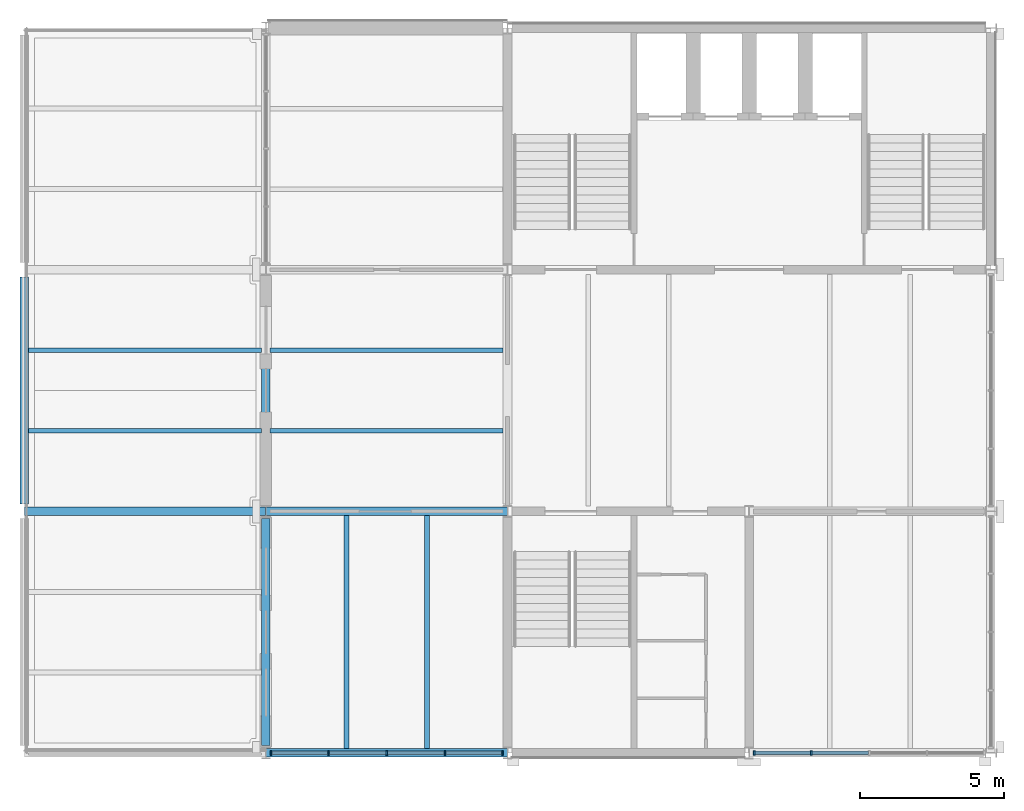
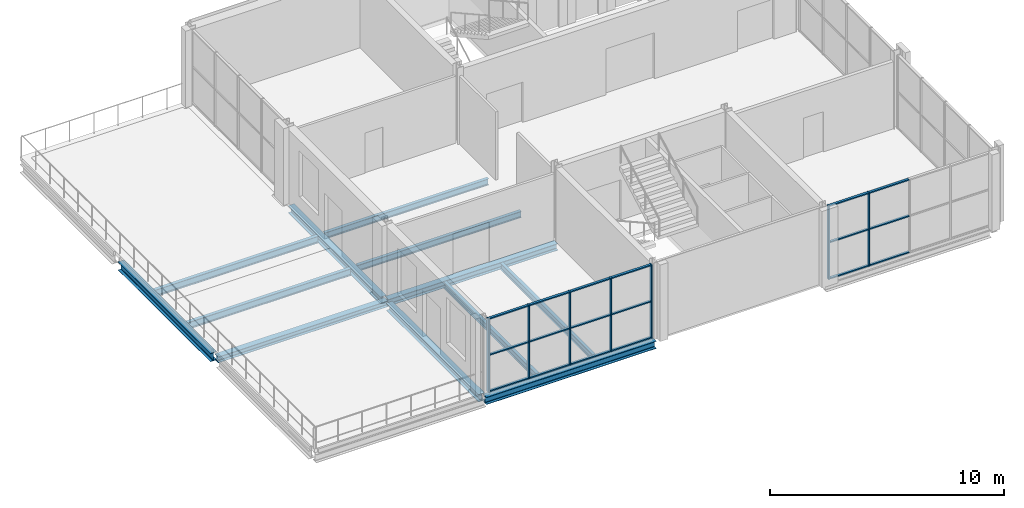
# One storey, part 2 of 9: 25 members, 12 beams, 2 elements without a shape of their own.
"""IFC4 building model written with IfcOpenShell, lengths in metres."""

from ifc_helpers import new_model, si_unit, direction, frame, origin, origin_2d, place, context, subcontext, project, spatial, rectangle, i_section, extrude, material, layer, layer_set, material_profile, profile_set, type_object, element, aggregate, save


model = new_model("IFC4")

# Units and contexts
model_context = context("Model", 3, precision=1e-05, world=origin(), true_north=direction((0.0, 1.0)))
body_context = subcontext(model_context, "Body", "Model", "MODEL_VIEW")
ifc_project = project(units=[si_unit("LENGTHUNIT", "METRE"), si_unit("AREAUNIT", "SQUARE_METRE"), si_unit("VOLUMEUNIT", "CUBIC_METRE"), si_unit("PLANEANGLEUNIT", "RADIAN"), si_unit("MASSUNIT", "GRAM", prefix="KILO")], contexts=[model_context])

# Site, building, storey
site_placement = place(None, origin())
site = spatial("IfcSite", under=ifc_project, at=site_placement, CompositionType="ELEMENT")
building_placement = place(site_placement, origin())
building = spatial("IfcBuilding", under=site, at=building_placement, Name="Galleria Vessillo Department Store", CompositionType="ELEMENT")
storey_placement = place(building_placement, frame((0.0, 0.0, 47.60009765625)))
storey = spatial("IfcBuildingStorey", under=building, at=storey_placement, Name="L10", CompositionType="ELEMENT", Elevation=47.60009765625)

# Curtain wall, members
ifc_material_1 = material(Name="Aluminium and glass curtain wall", Category="aluminium")
ifc_layer = layer(ifc_material_1, 0.159912109375)
ifc_layer_set = layer_set([ifc_layer], Name="Aluminium and glass curtain wall")
curtain_wall_type = type_object("IfcCurtainWallType", Name="Tower curtain wall CW4 2100 module", PredefinedType="NOTDEFINED", material=ifc_layer_set)
curtain_wall_1_placement = place(storey_placement, origin())
curtain_wall_1 = element("IfcCurtainWall", 1, at=curtain_wall_1_placement, inside=storey, type_object=curtain_wall_type, Name="Tower curtain wall CW4 2100 module TS-L10-01", PredefinedType="NOTDEFINED")
ifc_material_2 = material(Name="Aluminium alloy 6063 T6", Category="aluminium")
ifc_material_profile_1 = material_profile(ifc_material_2, rectangle(XDim=0.159912109375, YDim=0.06005859375, at=origin_2d()), Name="AL 60x160")
ifc_profile_set_1 = profile_set([ifc_material_profile_1], Name="Aluminium alloy 6063 T6")
member_type_1 = type_object("IfcMemberType", Name="Aluminium mullion 60 x 160", PredefinedType="MULLION", material=ifc_profile_set_1)
member_1_placement = place(storey_placement, frame((92.579833984375, 37.800048828125, 0.0), z_axis=(0.0, 0.0, 1.0), x_axis=(0.0, 1.0, 0.0)))
member_1 = element("IfcMember", 2, at=member_1_placement, type_object=member_type_1, Name="CW4 mullion 1", PredefinedType="MULLION", context=body_context, shape_type="SweptSolid", body=[
    extrude(rectangle(XDim=0.159912109375, YDim=0.06005859375, at=origin_2d()), origin(), (0.0, 0.0, 1.0), 3.85009765625),
])
member_2_placement = place(storey_placement, frame((94.574951171875, 37.800048828125, 0.0), z_axis=(0.0, 0.0, 1.0), x_axis=(0.0, 1.0, 0.0)))
member_2 = element("IfcMember", 3, at=member_2_placement, type_object=member_type_1, Name="CW4 mullion 2", PredefinedType="MULLION", context=body_context, shape_type="SweptSolid", body=[
    extrude(rectangle(XDim=0.159912109375, YDim=0.06005859375, at=origin_2d()), origin(), (0.0, 0.0, 1.0), 3.85009765625),
])
member_3_placement = place(storey_placement, frame((96.60009765625, 37.800048828125, 0.0), z_axis=(0.0, 0.0, 1.0), x_axis=(0.0, 1.0, 0.0)))
member_3 = element("IfcMember", 4, at=member_3_placement, type_object=member_type_1, Name="CW4 mullion 3", PredefinedType="MULLION", context=body_context, shape_type="SweptSolid", body=[
    extrude(rectangle(XDim=0.159912109375, YDim=0.06005859375, at=origin_2d()), origin(), (0.0, 0.0, 1.0), 3.85009765625),
])
member_4_placement = place(storey_placement, frame((98.625, 37.800048828125, 0.0), z_axis=(0.0, 0.0, 1.0), x_axis=(0.0, 1.0, 0.0)))
member_4 = element("IfcMember", 5, at=member_4_placement, type_object=member_type_1, Name="CW4 mullion 4", PredefinedType="MULLION", context=body_context, shape_type="SweptSolid", body=[
    extrude(rectangle(XDim=0.159912109375, YDim=0.06005859375, at=origin_2d()), origin(), (0.0, 0.0, 1.0), 3.85009765625),
])
member_5_placement = place(storey_placement, frame((100.6201171875, 37.800048828125, 0.0), z_axis=(0.0, 0.0, 1.0), x_axis=(0.0, 1.0, 0.0)))
member_5 = element("IfcMember", 6, at=member_5_placement, type_object=member_type_1, Name="CW4 mullion 5", PredefinedType="MULLION", context=body_context, shape_type="SweptSolid", body=[
    extrude(rectangle(XDim=0.159912109375, YDim=0.06005859375, at=origin_2d()), origin(), (0.0, 0.0, 1.0), 3.85009765625),
])

curtain_wall_2_placement = place(storey_placement, origin())
curtain_wall_2 = element("IfcCurtainWall", 7, at=curtain_wall_2_placement, inside=storey, type_object=curtain_wall_type, Name="Tower curtain wall CW4 2100 module TS-L10-02", PredefinedType="NOTDEFINED")
member_6_placement = place(storey_placement, frame((109.3798828125, 37.800048828125, 0.0), z_axis=(0.0, 0.0, 1.0), x_axis=(0.0, 1.0, 0.0)))
member_6 = element("IfcMember", 8, at=member_6_placement, type_object=member_type_1, Name="CW4 mullion 1", PredefinedType="MULLION", context=body_context, shape_type="SweptSolid", body=[
    extrude(rectangle(XDim=0.159912109375, YDim=0.06005859375, at=origin_2d()), origin(), (0.0, 0.0, 1.0), 3.85009765625),
])
member_7_placement = place(storey_placement, frame((111.362548828125, 37.800048828125, 0.0), z_axis=(0.0, 0.0, 1.0), x_axis=(0.0, 1.0, 0.0)))
member_7 = element("IfcMember", 9, at=member_7_placement, type_object=member_type_1, Name="CW4 mullion 2", PredefinedType="MULLION", context=body_context, shape_type="SweptSolid", body=[
    extrude(rectangle(XDim=0.159912109375, YDim=0.06005859375, at=origin_2d()), origin(), (0.0, 0.0, 1.0), 3.85009765625),
])

# Member
ifc_material_3 = material(Name="Aluminium alloy 6063 T6", Category="aluminium")
ifc_material_profile_2 = material_profile(ifc_material_3, rectangle(XDim=0.1201171875, YDim=0.06005859375, at=origin_2d()), Name="AL 60x120")
ifc_profile_set_2 = profile_set([ifc_material_profile_2], Name="Aluminium alloy 6063 T6")
member_type_2 = type_object("IfcMemberType", Name="Aluminium transom 60 x 120", PredefinedType="USERDEFINED", material=ifc_profile_set_2)
member_8_placement = place(storey_placement, frame((92.60986328125, 37.800048828125, 0.030029296875), z_axis=(1.0, 0.0, 0.0), x_axis=(0.0, 1.0, 0.0)))
member_8 = element("IfcMember", 10, at=member_8_placement, type_object=member_type_2, Name="CW4 transom 1.1", ObjectType="TRANSOM", PredefinedType="USERDEFINED", context=body_context, shape_type="SweptSolid", body=[
    extrude(rectangle(XDim=0.1201171875, YDim=0.06005859375, at=origin_2d()), origin(), (0.0, 0.0, 1.0), 1.93505859375),
])

member_9_placement = place(storey_placement, frame((92.60986328125, 37.800048828125, 1.925048828125), z_axis=(1.0, 0.0, 0.0), x_axis=(0.0, 1.0, 0.0)))
member_9 = element("IfcMember", 11, at=member_9_placement, type_object=member_type_2, Name="CW4 transom 1.2", ObjectType="TRANSOM", PredefinedType="USERDEFINED", context=body_context, shape_type="SweptSolid", body=[
    extrude(rectangle(XDim=0.1201171875, YDim=0.06005859375, at=origin_2d()), origin(), (0.0, 0.0, 1.0), 1.93505859375),
])

member_10_placement = place(storey_placement, frame((92.60986328125, 37.800048828125, 3.820068359375), z_axis=(1.0, 0.0, 0.0), x_axis=(0.0, 1.0, 0.0)))
member_10 = element("IfcMember", 12, at=member_10_placement, type_object=member_type_2, Name="CW4 transom 1.3", ObjectType="TRANSOM", PredefinedType="USERDEFINED", context=body_context, shape_type="SweptSolid", body=[
    extrude(rectangle(XDim=0.1201171875, YDim=0.06005859375, at=origin_2d()), origin(), (0.0, 0.0, 1.0), 1.93505859375),
])

member_11_placement = place(storey_placement, frame((94.60498046875, 37.800048828125, 0.030029296875), z_axis=(1.0, 0.0, 0.0), x_axis=(0.0, 1.0, 0.0)))
member_11 = element("IfcMember", 13, at=member_11_placement, type_object=member_type_2, Name="CW4 transom 2.1", ObjectType="TRANSOM", PredefinedType="USERDEFINED", context=body_context, shape_type="SweptSolid", body=[
    extrude(rectangle(XDim=0.1201171875, YDim=0.06005859375, at=origin_2d()), origin(), (0.0, 0.0, 1.0), 1.965087890625),
])

member_12_placement = place(storey_placement, frame((94.60498046875, 37.800048828125, 1.925048828125), z_axis=(1.0, 0.0, 0.0), x_axis=(0.0, 1.0, 0.0)))
member_12 = element("IfcMember", 14, at=member_12_placement, type_object=member_type_2, Name="CW4 transom 2.2", ObjectType="TRANSOM", PredefinedType="USERDEFINED", context=body_context, shape_type="SweptSolid", body=[
    extrude(rectangle(XDim=0.1201171875, YDim=0.06005859375, at=origin_2d()), origin(), (0.0, 0.0, 1.0), 1.965087890625),
])

member_13_placement = place(storey_placement, frame((94.60498046875, 37.800048828125, 3.820068359375), z_axis=(1.0, 0.0, 0.0), x_axis=(0.0, 1.0, 0.0)))
member_13 = element("IfcMember", 15, at=member_13_placement, type_object=member_type_2, Name="CW4 transom 2.3", ObjectType="TRANSOM", PredefinedType="USERDEFINED", context=body_context, shape_type="SweptSolid", body=[
    extrude(rectangle(XDim=0.1201171875, YDim=0.06005859375, at=origin_2d()), origin(), (0.0, 0.0, 1.0), 1.965087890625),
])

member_14_placement = place(storey_placement, frame((96.6298828125, 37.800048828125, 0.030029296875), z_axis=(1.0, 0.0, 0.0), x_axis=(0.0, 1.0, 0.0)))
member_14 = element("IfcMember", 16, at=member_14_placement, type_object=member_type_2, Name="CW4 transom 3.1", ObjectType="TRANSOM", PredefinedType="USERDEFINED", context=body_context, shape_type="SweptSolid", body=[
    extrude(rectangle(XDim=0.1201171875, YDim=0.06005859375, at=origin_2d()), origin(), (0.0, 0.0, 1.0), 1.965087890625),
])

member_15_placement = place(storey_placement, frame((96.6298828125, 37.800048828125, 1.925048828125), z_axis=(1.0, 0.0, 0.0), x_axis=(0.0, 1.0, 0.0)))
member_15 = element("IfcMember", 17, at=member_15_placement, type_object=member_type_2, Name="CW4 transom 3.2", ObjectType="TRANSOM", PredefinedType="USERDEFINED", context=body_context, shape_type="SweptSolid", body=[
    extrude(rectangle(XDim=0.1201171875, YDim=0.06005859375, at=origin_2d()), origin(), (0.0, 0.0, 1.0), 1.965087890625),
])

member_16_placement = place(storey_placement, frame((96.6298828125, 37.800048828125, 3.820068359375), z_axis=(1.0, 0.0, 0.0), x_axis=(0.0, 1.0, 0.0)))
member_16 = element("IfcMember", 18, at=member_16_placement, type_object=member_type_2, Name="CW4 transom 3.3", ObjectType="TRANSOM", PredefinedType="USERDEFINED", context=body_context, shape_type="SweptSolid", body=[
    extrude(rectangle(XDim=0.1201171875, YDim=0.06005859375, at=origin_2d()), origin(), (0.0, 0.0, 1.0), 1.965087890625),
])

member_17_placement = place(storey_placement, frame((98.655029296875, 37.800048828125, 0.030029296875), z_axis=(1.0, 0.0, 0.0), x_axis=(0.0, 1.0, 0.0)))
member_17 = element("IfcMember", 19, at=member_17_placement, type_object=member_type_2, Name="CW4 transom 4.1", ObjectType="TRANSOM", PredefinedType="USERDEFINED", context=body_context, shape_type="SweptSolid", body=[
    extrude(rectangle(XDim=0.1201171875, YDim=0.06005859375, at=origin_2d()), origin(), (0.0, 0.0, 1.0), 1.93505859375),
])

member_18_placement = place(storey_placement, frame((98.655029296875, 37.800048828125, 1.925048828125), z_axis=(1.0, 0.0, 0.0), x_axis=(0.0, 1.0, 0.0)))
member_18 = element("IfcMember", 20, at=member_18_placement, type_object=member_type_2, Name="CW4 transom 4.2", ObjectType="TRANSOM", PredefinedType="USERDEFINED", context=body_context, shape_type="SweptSolid", body=[
    extrude(rectangle(XDim=0.1201171875, YDim=0.06005859375, at=origin_2d()), origin(), (0.0, 0.0, 1.0), 1.93505859375),
])

member_19_placement = place(storey_placement, frame((98.655029296875, 37.800048828125, 3.820068359375), z_axis=(1.0, 0.0, 0.0), x_axis=(0.0, 1.0, 0.0)))
member_19 = element("IfcMember", 21, at=member_19_placement, type_object=member_type_2, Name="CW4 transom 4.3", ObjectType="TRANSOM", PredefinedType="USERDEFINED", context=body_context, shape_type="SweptSolid", body=[
    extrude(rectangle(XDim=0.1201171875, YDim=0.06005859375, at=origin_2d()), origin(), (0.0, 0.0, 1.0), 1.93505859375),
])

aggregate(curtain_wall_1, [member_1, member_2, member_3, member_4, member_5, member_8, member_9, member_10, member_11, member_12, member_13, member_14, member_15, member_16, member_17, member_18, member_19])

member_20_placement = place(storey_placement, frame((109.409912109375, 37.800048828125, 0.030029296875), z_axis=(1.0, 0.0, 0.0), x_axis=(0.0, 1.0, 0.0)))
member_20 = element("IfcMember", 22, at=member_20_placement, type_object=member_type_2, Name="CW4 transom 1.1", ObjectType="TRANSOM", PredefinedType="USERDEFINED", context=body_context, shape_type="SweptSolid", body=[
    extrude(rectangle(XDim=0.1201171875, YDim=0.06005859375, at=origin_2d()), origin(), (0.0, 0.0, 1.0), 1.922607421875),
])

member_21_placement = place(storey_placement, frame((109.409912109375, 37.800048828125, 1.925048828125), z_axis=(1.0, 0.0, 0.0), x_axis=(0.0, 1.0, 0.0)))
member_21 = element("IfcMember", 23, at=member_21_placement, type_object=member_type_2, Name="CW4 transom 1.2", ObjectType="TRANSOM", PredefinedType="USERDEFINED", context=body_context, shape_type="SweptSolid", body=[
    extrude(rectangle(XDim=0.1201171875, YDim=0.06005859375, at=origin_2d()), origin(), (0.0, 0.0, 1.0), 1.922607421875),
])

member_22_placement = place(storey_placement, frame((109.409912109375, 37.800048828125, 3.820068359375), z_axis=(1.0, 0.0, 0.0), x_axis=(0.0, 1.0, 0.0)))
member_22 = element("IfcMember", 24, at=member_22_placement, type_object=member_type_2, Name="CW4 transom 1.3", ObjectType="TRANSOM", PredefinedType="USERDEFINED", context=body_context, shape_type="SweptSolid", body=[
    extrude(rectangle(XDim=0.1201171875, YDim=0.06005859375, at=origin_2d()), origin(), (0.0, 0.0, 1.0), 1.922607421875),
])

member_23_placement = place(storey_placement, frame((111.392333984375, 37.800048828125, 0.030029296875), z_axis=(1.0, 0.0, 0.0), x_axis=(0.0, 1.0, 0.0)))
member_23 = element("IfcMember", 25, at=member_23_placement, type_object=member_type_2, Name="CW4 transom 2.1", ObjectType="TRANSOM", PredefinedType="USERDEFINED", context=body_context, shape_type="SweptSolid", body=[
    extrude(rectangle(XDim=0.1201171875, YDim=0.06005859375, at=origin_2d()), origin(), (0.0, 0.0, 1.0), 1.95263671875),
])

member_24_placement = place(storey_placement, frame((111.392333984375, 37.800048828125, 1.925048828125), z_axis=(1.0, 0.0, 0.0), x_axis=(0.0, 1.0, 0.0)))
member_24 = element("IfcMember", 26, at=member_24_placement, type_object=member_type_2, Name="CW4 transom 2.2", ObjectType="TRANSOM", PredefinedType="USERDEFINED", context=body_context, shape_type="SweptSolid", body=[
    extrude(rectangle(XDim=0.1201171875, YDim=0.06005859375, at=origin_2d()), origin(), (0.0, 0.0, 1.0), 1.95263671875),
])

member_25_placement = place(storey_placement, frame((111.392333984375, 37.800048828125, 3.820068359375), z_axis=(1.0, 0.0, 0.0), x_axis=(0.0, 1.0, 0.0)))
member_25 = element("IfcMember", 27, at=member_25_placement, type_object=member_type_2, Name="CW4 transom 2.3", ObjectType="TRANSOM", PredefinedType="USERDEFINED", context=body_context, shape_type="SweptSolid", body=[
    extrude(rectangle(XDim=0.1201171875, YDim=0.06005859375, at=origin_2d()), origin(), (0.0, 0.0, 1.0), 1.95263671875),
])

aggregate(curtain_wall_2, [member_6, member_7, member_20, member_21, member_22, member_23, member_24, member_25])

# Beams
ifc_material_4 = material(Name="Steel S355 J2", Category="steel")
ifc_material_profile_3 = material_profile(ifc_material_4, i_section(OverallWidth=0.300048828125, OverallDepth=0.35009765625, WebThickness=0.010009765625, FlangeThickness=0.017578125, FilletRadius=0.027099609375, at=origin_2d()), Name="HEA 360")
ifc_profile_set_3 = profile_set([ifc_material_profile_3], Name="Steel S355 J2")
beam_type_1 = type_object("IfcBeamType", Name="Floor girder HEA 360", PredefinedType="BEAM", material=ifc_profile_set_3)
beam_1_placement = place(storey_placement, frame((92.407470703125, 46.199951171875, -0.324951171875), z_axis=(1.0, 0.0, 0.0), x_axis=(0.0, 1.0, 0.0)))
element("IfcBeam", 28, at=beam_1_placement, inside=storey, type_object=beam_type_1, Name="S-BM-L10-GI-x46200-92407", PredefinedType="BEAM", context=body_context, shape_type="SweptSolid", body=[
    extrude(i_section(OverallWidth=0.300048828125, OverallDepth=0.35009765625, WebThickness=0.010009765625, FlangeThickness=0.017578125, FilletRadius=0.027099609375, at=origin_2d()), origin(), (0.0, 0.0, 1.0), 8.38525390625),
])
ifc_material_5 = material(Name="Steel S355 J2", Category="steel")
ifc_material_profile_4 = material_profile(ifc_material_5, i_section(OverallWidth=0.300048828125, OverallDepth=0.389892578125, WebThickness=0.010986328125, FlangeThickness=0.01904296875, FilletRadius=0.027099609375, at=origin_2d()), Name="HEA 400")
ifc_profile_set_4 = profile_set([ifc_material_profile_4], Name="Steel S355 J2")
beam_type_2 = type_object("IfcBeamType", Name="Floor girder HEA 400", PredefinedType="BEAM", material=ifc_profile_set_4)
beam_2_placement = place(storey_placement, frame((92.39990234375, 38.050048828125, -0.39501953125), z_axis=(0.0, 1.0, 0.0), x_axis=(-1.0, 0.0, 0.0)))
element("IfcBeam", 29, at=beam_2_placement, inside=storey, type_object=beam_type_2, Name="S-BM-L10-GI-y92400-38050", PredefinedType="BEAM", context=body_context, shape_type="SweptSolid", body=[
    extrude(i_section(OverallWidth=0.300048828125, OverallDepth=0.389892578125, WebThickness=0.010986328125, FlangeThickness=0.01904296875, FilletRadius=0.027099609375, at=origin_2d()), origin(), (0.0, 0.0, 1.0), 7.89990234375),
])
beam_3_placement = place(storey_placement, frame((92.39990234375, 46.4501953125, -0.39501953125), z_axis=(0.0, 1.0, 0.0), x_axis=(-1.0, 0.0, 0.0)))
element("IfcBeam", 30, at=beam_3_placement, inside=storey, type_object=beam_type_2, Name="S-BM-L10-GI-y92400-46450", PredefinedType="BEAM", context=body_context, shape_type="SweptSolid", body=[
    extrude(i_section(OverallWidth=0.300048828125, OverallDepth=0.389892578125, WebThickness=0.010986328125, FlangeThickness=0.01904296875, FilletRadius=0.027099609375, at=origin_2d()), origin(), (0.0, 0.0, 1.0), 7.899658203125),
])
ifc_material_6 = material(Name="Steel S355 J2", Category="steel")
ifc_material_profile_5 = material_profile(ifc_material_6, i_section(OverallWidth=0.159912109375, OverallDepth=0.330078125, WebThickness=0.007568359375, FlangeThickness=0.011474609375, FilletRadius=0.01806640625, at=origin_2d()), Name="IPE 330")
ifc_profile_set_5 = profile_set([ifc_material_profile_5], Name="Steel S355 J2")
beam_type_3 = type_object("IfcBeamType", Name="Floor joist IPE 330", PredefinedType="JOIST", material=ifc_profile_set_5)
for number, where, z_axis, x_axis, name in (
    (31, (95.199951171875, 37.9501953125, -0.31494140625), (0.0, 1.0, 0.0), (-1.0, 0.0, 0.0), "S-BM-L10-JO-y95200-37950"),
    (32, (98.0, 37.9501953125, -0.31494140625), (0.0, 1.0, 0.0), (-1.0, 0.0, 0.0), "S-BM-L10-JO-y98000-37950"),
):
    element("IfcBeam", number, at=place(storey_placement, frame(where, z_axis=z_axis, x_axis=x_axis)), inside=storey, type_object=beam_type_3, Name=name, PredefinedType="JOIST", context=body_context, shape_type="SweptSolid", body=[
        extrude(i_section(OverallWidth=0.159912109375, OverallDepth=0.330078125, WebThickness=0.007568359375, FlangeThickness=0.011474609375, FilletRadius=0.01806640625, at=origin_2d()), origin(), (0.0, 0.0, 1.0), 8.099609375),
    ])
for number, where, z_axis, x_axis, name in (
    (33, (92.550048828125, 49.0, -0.31494140625), (1.0, 0.0, 0.0), (0.0, 1.0, 0.0), "S-BM-L10-JO-x49000-92550"),
    (34, (92.550048828125, 51.800048828125, -0.31494140625), (1.0, 0.0, 0.0), (0.0, 1.0, 0.0), "S-BM-L10-JO-x51800-92550"),
):
    element("IfcBeam", number, at=place(storey_placement, frame(where, z_axis=z_axis, x_axis=x_axis)), inside=storey, type_object=beam_type_3, Name=name, PredefinedType="JOIST", context=body_context, shape_type="SweptSolid", body=[
        extrude(i_section(OverallWidth=0.159912109375, OverallDepth=0.330078125, WebThickness=0.007568359375, FlangeThickness=0.011474609375, FilletRadius=0.01806640625, at=origin_2d()), origin(), (0.0, 0.0, 1.0), 8.099853515625),
    ])
ifc_material_7 = material(Name="Steel S355 J2", Category="steel")
ifc_material_profile_6 = material_profile(ifc_material_7, i_section(OverallWidth=0.169921875, OverallDepth=0.360107421875, WebThickness=0.008056640625, FlangeThickness=0.0126953125, FilletRadius=0.01806640625, at=origin_2d()), Name="IPE 360")
ifc_profile_set_6 = profile_set([ifc_material_profile_6], Name="Steel S355 J2")
beam_type_4 = type_object("IfcBeamType", Name="Floor joist IPE 360", PredefinedType="JOIST", material=ifc_profile_set_6)
for number, where, z_axis, x_axis, name in (
    (35, (84.150146484375, 49.0, -0.3798828125), (1.0, 0.0, 0.0), (0.0, 1.0, 0.0), "S-BM-L10-JO-x49000-84150"),
    (36, (84.150146484375, 51.800048828125, -0.3798828125), (1.0, 0.0, 0.0), (0.0, 1.0, 0.0), "S-BM-L10-JO-x51800-84150"),
):
    element("IfcBeam", number, at=place(storey_placement, frame(where, z_axis=z_axis, x_axis=x_axis)), inside=storey, type_object=beam_type_4, Name=name, PredefinedType="JOIST", context=body_context, shape_type="SweptSolid", body=[
        extrude(i_section(OverallWidth=0.169921875, OverallDepth=0.360107421875, WebThickness=0.008056640625, FlangeThickness=0.0126953125, FilletRadius=0.01806640625, at=origin_2d()), origin(), (0.0, 0.0, 1.0), 8.099609375),
    ])
ifc_material_8 = material(Name="Steel S355 J2", Category="steel")
ifc_material_profile_7 = material_profile(ifc_material_8, i_section(OverallWidth=0.300048828125, OverallDepth=0.31005859375, WebThickness=0.009033203125, FlangeThickness=0.015380859375, FilletRadius=0.027099609375, at=origin_2d()), Name="HEA 320")
ifc_profile_set_7 = profile_set([ifc_material_profile_7], Name="Steel S355 J2")
beam_type_5 = type_object("IfcBeamType", Name="Floor tie girder HEA 320", PredefinedType="BEAM", material=ifc_profile_set_7)
beam_4_placement = place(storey_placement, frame((84.00732421875, 46.199951171875, -0.35498046875), z_axis=(1.0, 0.0, 0.0), x_axis=(0.0, 1.0, 0.0)))
element("IfcBeam", 37, at=beam_4_placement, inside=storey, type_object=beam_type_5, Name="S-BM-L10-TI-x46200-84007", PredefinedType="BEAM", context=body_context, shape_type="SweptSolid", body=[
    extrude(i_section(OverallWidth=0.300048828125, OverallDepth=0.31005859375, WebThickness=0.009033203125, FlangeThickness=0.015380859375, FilletRadius=0.027099609375, at=origin_2d()), origin(), (0.0, 0.0, 1.0), 8.38525390625),
])
ifc_material_9 = material(Name="Steel S355 J2", Category="steel")
ifc_material_profile_8 = material_profile(ifc_material_9, i_section(OverallWidth=0.300048828125, OverallDepth=0.389892578125, WebThickness=0.010986328125, FlangeThickness=0.01904296875, FilletRadius=0.027099609375, at=origin_2d()), Name="HEA 400")
ifc_profile_set_8 = profile_set([ifc_material_profile_8], Name="Steel S355 J2")
beam_type_6 = type_object("IfcBeamType", Name="Trimmer beam HEA 400", PredefinedType="BEAM", material=ifc_profile_set_8)
beam_5_placement = place(storey_placement, frame((92.407470703125, 37.800048828125, -0.344970703125), z_axis=(1.0, 0.0, 0.0), x_axis=(0.0, 1.0, 0.0)))
element("IfcBeam", 38, at=beam_5_placement, inside=storey, type_object=beam_type_6, Name="S-BM-L10-TR-x37800-92407", PredefinedType="BEAM", context=body_context, shape_type="SweptSolid", body=[
    extrude(i_section(OverallWidth=0.300048828125, OverallDepth=0.389892578125, WebThickness=0.010986328125, FlangeThickness=0.01904296875, FilletRadius=0.027099609375, at=origin_2d()), origin(), (0.0, 0.0, 1.0), 8.38525390625),
])
ifc_material_10 = material(Name="Steel S355 J2", Category="steel")
ifc_material_profile_9 = material_profile(ifc_material_10, i_section(OverallWidth=0.300048828125, OverallDepth=0.43994140625, WebThickness=0.011474609375, FlangeThickness=0.02099609375, FilletRadius=0.027099609375, at=origin_2d()), Name="HEA 450")
ifc_profile_set_9 = profile_set([ifc_material_profile_9], Name="Steel S355 J2")
beam_type_7 = type_object("IfcBeamType", Name="Trimmer beam HEA 450", PredefinedType="BEAM", material=ifc_profile_set_9)
beam_6_placement = place(storey_placement, frame((84.0, 46.4501953125, -0.419921875), z_axis=(0.0, 1.0, 0.0), x_axis=(-1.0, 0.0, 0.0)))
element("IfcBeam", 39, at=beam_6_placement, inside=storey, type_object=beam_type_7, Name="S-BM-L10-TR-y84000-46450", PredefinedType="BEAM", context=body_context, shape_type="SweptSolid", body=[
    extrude(i_section(OverallWidth=0.300048828125, OverallDepth=0.43994140625, WebThickness=0.011474609375, FlangeThickness=0.02099609375, FilletRadius=0.027099609375, at=origin_2d()), origin(), (0.0, 0.0, 1.0), 7.899658203125),
])

save(model, "model.ifc")
